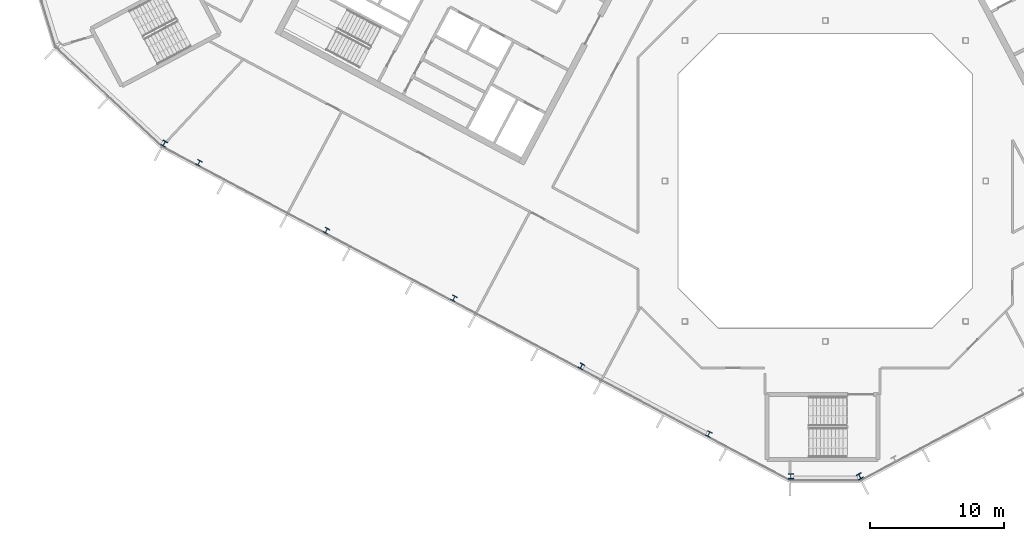
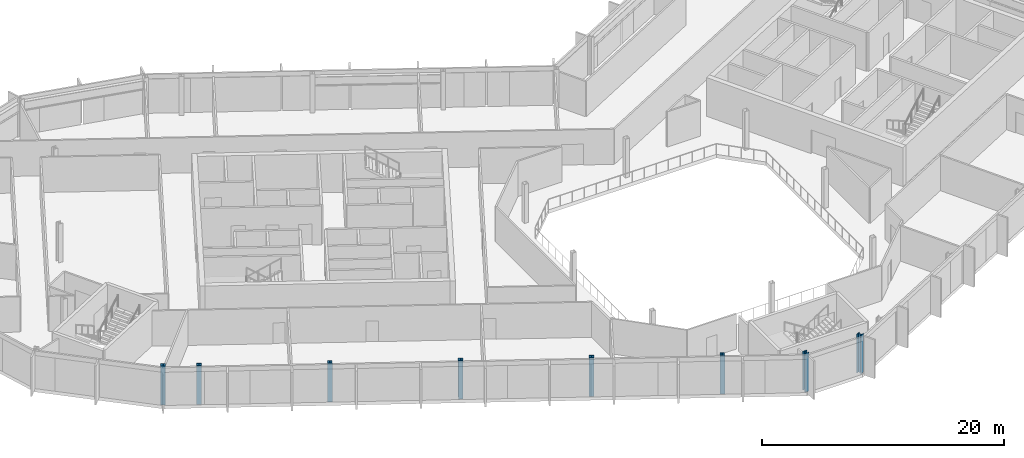
# One storey, part 1 of 26: 8 columns.
"""IFC4 building model written with IfcOpenShell, lengths in metres."""

from ifc_helpers import new_model, si_unit, direction, frame, origin, origin_2d, place, context, subcontext, project, spatial, i_section, extrude, material, material_profile, profile_set, type_object, element, save


model = new_model("IFC4")

# Units and contexts
model_context = context("Model", 3, precision=1e-05, world=origin(), true_north=direction((0.0, 1.0)))
body_context = subcontext(model_context, "Body", "Model", "MODEL_VIEW")
ifc_project = project(units=[si_unit("LENGTHUNIT", "METRE"), si_unit("AREAUNIT", "SQUARE_METRE"), si_unit("VOLUMEUNIT", "CUBIC_METRE"), si_unit("PLANEANGLEUNIT", "RADIAN"), si_unit("MASSUNIT", "GRAM", prefix="KILO")], contexts=[model_context])

# Site, building, storey
site_placement = place(None, origin())
site = spatial("IfcSite", under=ifc_project, at=site_placement, CompositionType="ELEMENT")
building_placement = place(site_placement, origin())
building = spatial("IfcBuilding", under=site, at=building_placement, Name="Cormorant Relay Tower", CompositionType="ELEMENT")
storey_placement = place(building_placement, frame((0.0, 0.0, 261.89990234375)))
storey = spatial("IfcBuildingStorey", under=building, at=storey_placement, Name="L58", CompositionType="ELEMENT", Elevation=261.89990234375)

# Columns
ifc_material_1 = material(Name="Steel ASTM A992 (Fy 345 MPa)", Category="steel")
ifc_material_profile_1 = material_profile(ifc_material_1, i_section(OverallWidth=0.398681640625, OverallDepth=0.385986328125, WebThickness=0.02099609375, FlangeThickness=0.033203125, FilletRadius=0.01513671875, at=origin_2d()), Name="W360x262")
ifc_profile_set_1 = profile_set([ifc_material_profile_1], Name="Steel ASTM A992 (Fy 345 MPa)")
column_type_1 = type_object("IfcColumnType", Name="Column W360x262", PredefinedType="COLUMN", material=ifc_profile_set_1)
for number, where, z_axis, x_axis, name in (
    (1, (-8.705078125, -18.928955078125, 0.0), (0.0, 0.0, 1.0), (0.882947592859, -0.469471562786, 0.0), "Column L58-004"),
    (2, (-18.240966796875, -13.85791015625, 0.0), (0.0, 0.0, 1.0), (0.882947592859, -0.469471562786, 0.0), "Column L58-006"),
    (3, (-27.777099609375, -8.7880859375, 0.0), (0.0, 0.0, 1.0), (0.882947592859, -0.469471562786, 0.0), "Column L58-011"),
    (4, (-37.31298828125, -3.718017578125, 0.0), (0.0, 0.0, 1.0), (0.882947592859, -0.469471562786, 0.0), "Column L58-013"),
    (5, (-46.84912109375, 1.35205078125, 0.0), (0.0, 0.0, 1.0), (0.882947592859, -0.469471562786, 0.0), "Column L58-017"),
):
    element("IfcColumn", number, at=place(storey_placement, frame(where, z_axis=z_axis, x_axis=x_axis)), inside=storey, type_object=column_type_1, Name=name, PredefinedType="COLUMN", context=body_context, shape_type="SweptSolid", body=[
        extrude(i_section(OverallWidth=0.398681640625, OverallDepth=0.385986328125, WebThickness=0.02099609375, FlangeThickness=0.033203125, FilletRadius=0.01513671875, at=origin_2d()), origin(), (0.0, 0.0, 1.0), 3.900146484375),
    ])
ifc_material_2 = material(Name="Steel ASTM A992 (Fy 345 MPa)", Category="steel")
ifc_material_profile_2 = material_profile(ifc_material_2, i_section(OverallWidth=0.40380859375, OverallDepth=0.406494140625, WebThickness=0.027099609375, FlangeThickness=0.043701171875, FilletRadius=0.01513671875, at=origin_2d()), Name="W360x347")
ifc_profile_set_2 = profile_set([ifc_material_profile_2], Name="Steel ASTM A992 (Fy 345 MPa)")
column_type_2 = type_object("IfcColumnType", Name="Column W360x347", PredefinedType="COLUMN", material=ifc_profile_set_2)
for number, where, z_axis, x_axis, name in (
    (6, (-2.5791015625, -22.093994140625, 0.0), (0.0, 0.0, 1.0), (1.0, 0.0, 0.0), "Column L58-001"),
    (7, (2.5791015625, -22.093994140625, 0.0), (0.0, 0.0, 1.0), (0.882947592859, 0.469471562786, 0.0), "Column L58-002"),
    (8, (-49.44091796875, 2.7958984375, 0.0), (0.0, 0.0, 1.0), (0.882947592859, -0.469471562786, 0.0), "Column L58-018"),
):
    element("IfcColumn", number, at=place(storey_placement, frame(where, z_axis=z_axis, x_axis=x_axis)), inside=storey, type_object=column_type_2, Name=name, PredefinedType="COLUMN", context=body_context, shape_type="SweptSolid", body=[
        extrude(i_section(OverallWidth=0.40380859375, OverallDepth=0.406494140625, WebThickness=0.027099609375, FlangeThickness=0.043701171875, FilletRadius=0.01513671875, at=origin_2d()), origin(), (0.0, 0.0, 1.0), 3.900146484375),
    ])

save(model, "model.ifc")
